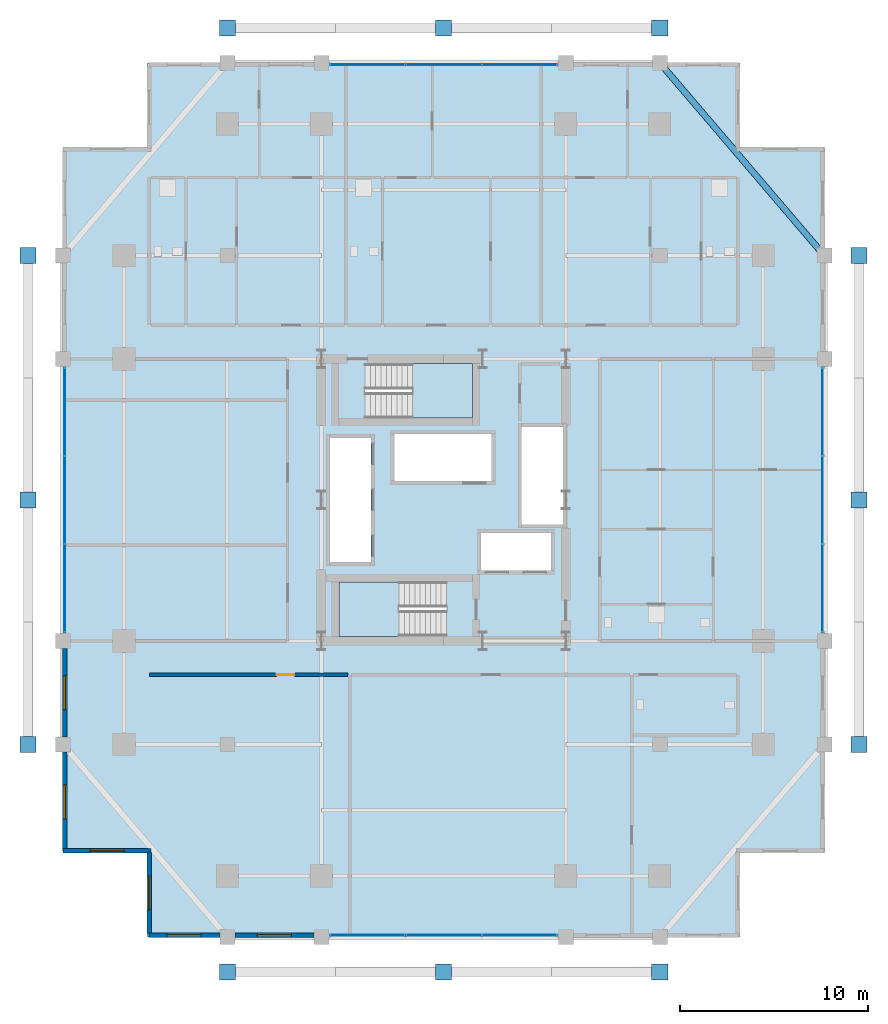
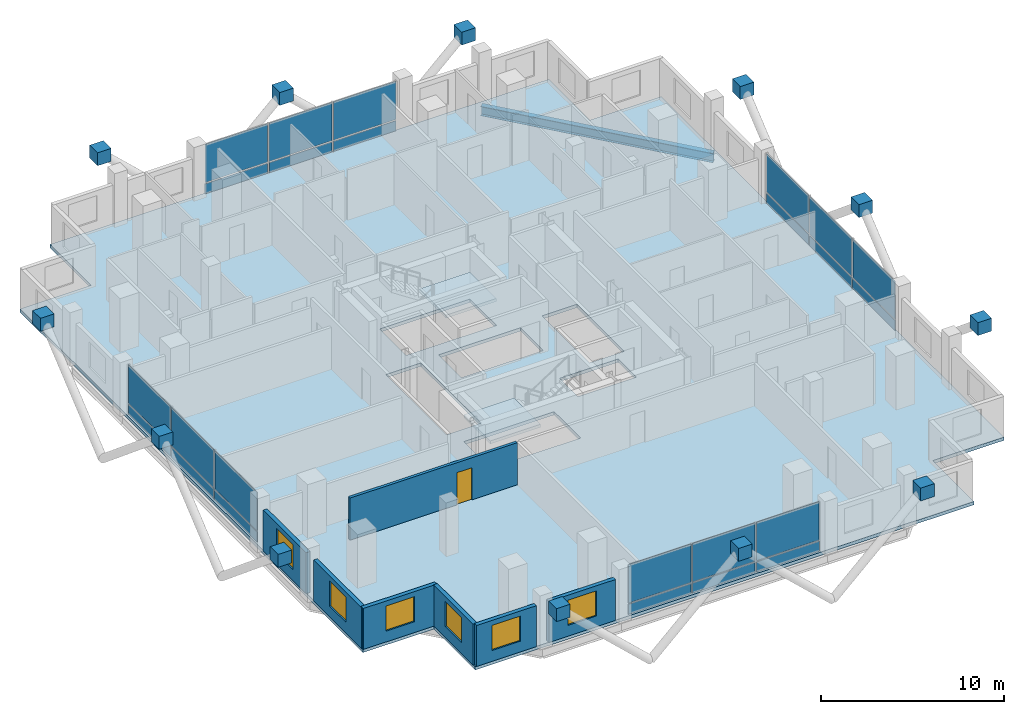
# One storey, part 16 of 22: 36 plates, 7 walls, 6 windows, 3 slabs, 1 beam, 1 door, 7 openings, 6 elements without a shape of their own.
"""IFC4 building model written with IfcOpenShell, lengths in metres."""

from ifc_helpers import new_model, si_unit, direction, frame, frame_2d, origin, origin_2d, place, context, subcontext, project, spatial, polyline, rectangle, i_section, outline, extrude, material, layer, layer_set, material_profile, profile_set, type_object, element, fill, aggregate, save


model = new_model("IFC4")

# Units and contexts
model_context = context("Model", 3, precision=1e-05, world=origin(), true_north=direction((0.0, 1.0)))
body_context = subcontext(model_context, "Body", "Model", "MODEL_VIEW")
ifc_project = project(units=[si_unit("LENGTHUNIT", "METRE"), si_unit("AREAUNIT", "SQUARE_METRE"), si_unit("VOLUMEUNIT", "CUBIC_METRE"), si_unit("PLANEANGLEUNIT", "RADIAN"), si_unit("MASSUNIT", "GRAM", prefix="KILO")], contexts=[model_context])

# Site, building, storey
site_placement = place(None, origin())
site = spatial("IfcSite", under=ifc_project, at=site_placement, CompositionType="ELEMENT")
building_placement = place(site_placement, origin())
building = spatial("IfcBuilding", under=site, at=building_placement, Name="Barlavira Tower and Art Museum", CompositionType="ELEMENT")
storey_placement = place(building_placement, frame((0.0, 0.0, 106.199951171875)))
storey = spatial("IfcBuildingStorey", under=building, at=storey_placement, Name="L26", CompositionType="ELEMENT", Elevation=106.199951171875)

# Beam
ifc_material_1 = material(Name="Steel S355", Category="steel")
ifc_material_profile = material_profile(ifc_material_1, i_section(OverallWidth=0.327880859375, OverallDepth=0.62890625, WebThickness=0.013916015625, FlangeThickness=0.021484375, at=origin_2d()), Name="W610x174.0")
ifc_profile_set = profile_set([ifc_material_profile], Name="Steel S355")
beam_type = type_object("IfcBeamType", Name="Perimeter Spandrel Edge Beam W610x174 Steel S355", PredefinedType="SPANDREL", material=ifc_profile_set)
beam_placement = place(storey_placement, frame((20.25, 13.0, -0.534423828125), z_axis=(-0.649262379928, 0.760564502202, 0.0), x_axis=(-0.760564502202, -0.649262379928, 0.0)))
element("IfcBeam", 1, at=beam_placement, inside=storey, type_object=beam_type, Name="L26 Spandrel 8", PredefinedType="SPANDREL", context=body_context, shape_type="SweptSolid", body=[
    extrude(i_section(OverallWidth=0.327880859375, OverallDepth=0.62890625, WebThickness=0.013916015625, FlangeThickness=0.021484375, at=origin_2d()), origin(), (0.0, 0.0, 1.0), 13.476806640625),
])

# Curtain wall, plates
ifc_material_2 = material(Name="Low-iron coastal laminated glass", Category="glass")
ifc_layer_1 = layer(ifc_material_2, 0.18994140625, Name="Low-iron coastal laminated glass")
ifc_layer_set_1 = layer_set([ifc_layer_1], Name="Low-iron coastal laminated glass")
curtain_wall_type = type_object("IfcCurtainWallType", Name="Pale-Metal Unitised Curtain Wall Zone 2", PredefinedType="NOTDEFINED", material=ifc_layer_set_1)
curtain_wall_1_placement = place(storey_placement, origin())
curtain_wall_1 = element("IfcCurtainWall", 2, at=curtain_wall_1_placement, inside=storey, type_object=curtain_wall_type, Name="L26 Curtain Wall CW2-L26-S-B3", PredefinedType="NOTDEFINED")
ifc_material_3 = material(Name="Pale anodised aluminium", Category="aluminium")
ifc_layer_2 = layer(ifc_material_3, 0.044921875, Name="Pale anodised aluminium")
ifc_layer_set_2 = layer_set([ifc_layer_2], Name="Pale anodised aluminium")
plate_type_1 = type_object("IfcPlateType", Name="Curtain Wall Pale-Metal Spandrel Panel 45", PredefinedType="CURTAIN_PANEL", material=ifc_layer_set_2)
plate_1_placement = place(storey_placement, frame((-4.05322265625, -23.14990234375, 0.0400390625), z_axis=(0.0, 0.0, 1.0), x_axis=(1.0, 0.0, 0.0)))
plate_1 = element("IfcPlate", 3, at=plate_1_placement, type_object=plate_type_1, Name="CW2-L26-S-B3 Spandrel Panel 0", PredefinedType="CURTAIN_PANEL", context=body_context, shape_type="SweptSolid", body=[
    extrude(rectangle(XDim=3.953369140625, YDim=0.044921875, at=origin_2d()), origin(), (0.0, 0.0, 1.0), 0.6640625),
])
plate_2_placement = place(storey_placement, frame((0.0, -23.14990234375, 0.0400390625), z_axis=(0.0, 0.0, 1.0), x_axis=(1.0, 0.0, 0.0)))
plate_2 = element("IfcPlate", 4, at=plate_2_placement, type_object=plate_type_1, Name="CW2-L26-S-B3 Spandrel Panel 1", PredefinedType="CURTAIN_PANEL", context=body_context, shape_type="SweptSolid", body=[
    extrude(rectangle(XDim=3.953369140625, YDim=0.044921875, at=origin_2d()), origin(), (0.0, 0.0, 1.0), 0.6640625),
])
plate_3_placement = place(storey_placement, frame((4.05322265625, -23.14990234375, 0.0400390625), z_axis=(0.0, 0.0, 1.0), x_axis=(1.0, 0.0, 0.0)))
plate_3 = element("IfcPlate", 5, at=plate_3_placement, type_object=plate_type_1, Name="CW2-L26-S-B3 Spandrel Panel 2", PredefinedType="CURTAIN_PANEL", context=body_context, shape_type="SweptSolid", body=[
    extrude(rectangle(XDim=3.953369140625, YDim=0.044921875, at=origin_2d()), origin(), (0.0, 0.0, 1.0), 0.6640625),
])

curtain_wall_2_placement = place(storey_placement, origin())
curtain_wall_2 = element("IfcCurtainWall", 6, at=curtain_wall_2_placement, inside=storey, type_object=curtain_wall_type, Name="L26 Curtain Wall CW2-L26-N-B3", PredefinedType="NOTDEFINED")
plate_4_placement = place(storey_placement, frame((4.05322265625, 23.14990234375, 0.0400390625), z_axis=(0.0, 0.0, 1.0), x_axis=(-1.0, 0.0, 0.0)))
plate_4 = element("IfcPlate", 7, at=plate_4_placement, type_object=plate_type_1, Name="CW2-L26-N-B3 Spandrel Panel 0", PredefinedType="CURTAIN_PANEL", context=body_context, shape_type="SweptSolid", body=[
    extrude(rectangle(XDim=3.953369140625, YDim=0.044921875, at=origin_2d()), origin(), (0.0, 0.0, 1.0), 0.6640625),
])
plate_5_placement = place(storey_placement, frame((0.0, 23.14990234375, 0.0400390625), z_axis=(0.0, 0.0, 1.0), x_axis=(-1.0, 0.0, 0.0)))
plate_5 = element("IfcPlate", 8, at=plate_5_placement, type_object=plate_type_1, Name="CW2-L26-N-B3 Spandrel Panel 1", PredefinedType="CURTAIN_PANEL", context=body_context, shape_type="SweptSolid", body=[
    extrude(rectangle(XDim=3.953369140625, YDim=0.044921875, at=origin_2d()), origin(), (0.0, 0.0, 1.0), 0.6640625),
])
plate_6_placement = place(storey_placement, frame((-4.05322265625, 23.14990234375, 0.0400390625), z_axis=(0.0, 0.0, 1.0), x_axis=(-1.0, 0.0, 0.0)))
plate_6 = element("IfcPlate", 9, at=plate_6_placement, type_object=plate_type_1, Name="CW2-L26-N-B3 Spandrel Panel 2", PredefinedType="CURTAIN_PANEL", context=body_context, shape_type="SweptSolid", body=[
    extrude(rectangle(XDim=3.953369140625, YDim=0.044921875, at=origin_2d()), origin(), (0.0, 0.0, 1.0), 0.6640625),
])

curtain_wall_3_placement = place(storey_placement, origin())
curtain_wall_3 = element("IfcCurtainWall", 10, at=curtain_wall_3_placement, inside=storey, type_object=curtain_wall_type, Name="L26 Curtain Wall CW2-L26-W-B3", PredefinedType="NOTDEFINED")
plate_7_placement = place(storey_placement, frame((-20.14990234375, 4.719970703125, 0.0400390625), z_axis=(0.0, 0.0, 1.0), x_axis=(0.0, -1.0, 0.0)))
plate_7 = element("IfcPlate", 11, at=plate_7_placement, type_object=plate_type_1, Name="CW2-L26-W-B3 Spandrel Panel 0", PredefinedType="CURTAIN_PANEL", context=body_context, shape_type="SweptSolid", body=[
    extrude(rectangle(XDim=4.6201171875, YDim=0.044921875, at=origin_2d()), origin(), (0.0, 0.0, 1.0), 0.6640625),
])
plate_8_placement = place(storey_placement, frame((-20.14990234375, 0.0, 0.0400390625), z_axis=(0.0, 0.0, 1.0), x_axis=(0.0, -1.0, 0.0)))
plate_8 = element("IfcPlate", 12, at=plate_8_placement, type_object=plate_type_1, Name="CW2-L26-W-B3 Spandrel Panel 1", PredefinedType="CURTAIN_PANEL", context=body_context, shape_type="SweptSolid", body=[
    extrude(rectangle(XDim=4.6201171875, YDim=0.044921875, at=origin_2d()), origin(), (0.0, 0.0, 1.0), 0.6640625),
])
plate_9_placement = place(storey_placement, frame((-20.14990234375, -4.719970703125, 0.0400390625), z_axis=(0.0, 0.0, 1.0), x_axis=(0.0, -1.0, 0.0)))
plate_9 = element("IfcPlate", 13, at=plate_9_placement, type_object=plate_type_1, Name="CW2-L26-W-B3 Spandrel Panel 2", PredefinedType="CURTAIN_PANEL", context=body_context, shape_type="SweptSolid", body=[
    extrude(rectangle(XDim=4.6201171875, YDim=0.044921875, at=origin_2d()), origin(), (0.0, 0.0, 1.0), 0.6640625),
])

curtain_wall_4_placement = place(storey_placement, origin())
curtain_wall_4 = element("IfcCurtainWall", 14, at=curtain_wall_4_placement, inside=storey, type_object=curtain_wall_type, Name="L26 Curtain Wall CW2-L26-E-B3", PredefinedType="NOTDEFINED")
plate_10_placement = place(storey_placement, frame((20.14990234375, -4.719970703125, 0.0400390625), z_axis=(0.0, 0.0, 1.0), x_axis=(0.0, 1.0, 0.0)))
plate_10 = element("IfcPlate", 15, at=plate_10_placement, type_object=plate_type_1, Name="CW2-L26-E-B3 Spandrel Panel 0", PredefinedType="CURTAIN_PANEL", context=body_context, shape_type="SweptSolid", body=[
    extrude(rectangle(XDim=4.6201171875, YDim=0.044921875, at=origin_2d()), origin(), (0.0, 0.0, 1.0), 0.6640625),
])
plate_11_placement = place(storey_placement, frame((20.14990234375, 0.0, 0.0400390625), z_axis=(0.0, 0.0, 1.0), x_axis=(0.0, 1.0, 0.0)))
plate_11 = element("IfcPlate", 16, at=plate_11_placement, type_object=plate_type_1, Name="CW2-L26-E-B3 Spandrel Panel 1", PredefinedType="CURTAIN_PANEL", context=body_context, shape_type="SweptSolid", body=[
    extrude(rectangle(XDim=4.6201171875, YDim=0.044921875, at=origin_2d()), origin(), (0.0, 0.0, 1.0), 0.6640625),
])
plate_12_placement = place(storey_placement, frame((20.14990234375, 4.719970703125, 0.0400390625), z_axis=(0.0, 0.0, 1.0), x_axis=(0.0, 1.0, 0.0)))
plate_12 = element("IfcPlate", 17, at=plate_12_placement, type_object=plate_type_1, Name="CW2-L26-E-B3 Spandrel Panel 2", PredefinedType="CURTAIN_PANEL", context=body_context, shape_type="SweptSolid", body=[
    extrude(rectangle(XDim=4.6201171875, YDim=0.044921875, at=origin_2d()), origin(), (0.0, 0.0, 1.0), 0.6640625),
])

# Plate
ifc_layer_3 = layer(ifc_material_2, 0.028076171875, Name="Low-iron coastal laminated glass")
ifc_layer_set_3 = layer_set([ifc_layer_3], Name="Low-iron coastal laminated glass")
plate_type_2 = type_object("IfcPlateType", Name="Curtain Wall Vision Glazing Panel 28", PredefinedType="CURTAIN_PANEL", material=ifc_layer_set_3)
plate_13_placement = place(storey_placement, frame((-4.05322265625, -23.14990234375, 0.7841796875), z_axis=(0.0, 0.0, 1.0), x_axis=(1.0, 0.0, 0.0)))
plate_13 = element("IfcPlate", 18, at=plate_13_placement, type_object=plate_type_2, Name="CW2-L26-S-B3 Vision Glass Panel 0", PredefinedType="CURTAIN_PANEL", context=body_context, shape_type="SweptSolid", body=[
    extrude(rectangle(XDim=3.953369140625, YDim=0.028076171875, at=origin_2d()), origin(), (0.0, 0.0, 1.0), 2.555908203125),
])

plate_14_placement = place(storey_placement, frame((0.0, -23.14990234375, 0.7841796875), z_axis=(0.0, 0.0, 1.0), x_axis=(1.0, 0.0, 0.0)))
plate_14 = element("IfcPlate", 19, at=plate_14_placement, type_object=plate_type_2, Name="CW2-L26-S-B3 Vision Glass Panel 1", PredefinedType="CURTAIN_PANEL", context=body_context, shape_type="SweptSolid", body=[
    extrude(rectangle(XDim=3.953369140625, YDim=0.028076171875, at=origin_2d()), origin(), (0.0, 0.0, 1.0), 2.555908203125),
])

plate_15_placement = place(storey_placement, frame((4.05322265625, -23.14990234375, 0.7841796875), z_axis=(0.0, 0.0, 1.0), x_axis=(1.0, 0.0, 0.0)))
plate_15 = element("IfcPlate", 20, at=plate_15_placement, type_object=plate_type_2, Name="CW2-L26-S-B3 Vision Glass Panel 2", PredefinedType="CURTAIN_PANEL", context=body_context, shape_type="SweptSolid", body=[
    extrude(rectangle(XDim=3.953369140625, YDim=0.028076171875, at=origin_2d()), origin(), (0.0, 0.0, 1.0), 2.555908203125),
])

aggregate(curtain_wall_1, [plate_1, plate_13, plate_2, plate_14, plate_3, plate_15])

plate_16_placement = place(storey_placement, frame((4.05322265625, 23.14990234375, 0.7841796875), z_axis=(0.0, 0.0, 1.0), x_axis=(-1.0, 0.0, 0.0)))
plate_16 = element("IfcPlate", 21, at=plate_16_placement, type_object=plate_type_2, Name="CW2-L26-N-B3 Vision Glass Panel 0", PredefinedType="CURTAIN_PANEL", context=body_context, shape_type="SweptSolid", body=[
    extrude(rectangle(XDim=3.953369140625, YDim=0.028076171875, at=origin_2d()), origin(), (0.0, 0.0, 1.0), 2.555908203125),
])

plate_17_placement = place(storey_placement, frame((0.0, 23.14990234375, 0.7841796875), z_axis=(0.0, 0.0, 1.0), x_axis=(-1.0, 0.0, 0.0)))
plate_17 = element("IfcPlate", 22, at=plate_17_placement, type_object=plate_type_2, Name="CW2-L26-N-B3 Vision Glass Panel 1", PredefinedType="CURTAIN_PANEL", context=body_context, shape_type="SweptSolid", body=[
    extrude(rectangle(XDim=3.953369140625, YDim=0.028076171875, at=origin_2d()), origin(), (0.0, 0.0, 1.0), 2.555908203125),
])

plate_18_placement = place(storey_placement, frame((-4.05322265625, 23.14990234375, 0.7841796875), z_axis=(0.0, 0.0, 1.0), x_axis=(-1.0, 0.0, 0.0)))
plate_18 = element("IfcPlate", 23, at=plate_18_placement, type_object=plate_type_2, Name="CW2-L26-N-B3 Vision Glass Panel 2", PredefinedType="CURTAIN_PANEL", context=body_context, shape_type="SweptSolid", body=[
    extrude(rectangle(XDim=3.953369140625, YDim=0.028076171875, at=origin_2d()), origin(), (0.0, 0.0, 1.0), 2.555908203125),
])

aggregate(curtain_wall_2, [plate_4, plate_16, plate_5, plate_17, plate_6, plate_18])

plate_19_placement = place(storey_placement, frame((-20.14990234375, 4.719970703125, 0.7841796875), z_axis=(0.0, 0.0, 1.0), x_axis=(0.0, -1.0, 0.0)))
plate_19 = element("IfcPlate", 24, at=plate_19_placement, type_object=plate_type_2, Name="CW2-L26-W-B3 Vision Glass Panel 0", PredefinedType="CURTAIN_PANEL", context=body_context, shape_type="SweptSolid", body=[
    extrude(rectangle(XDim=4.6201171875, YDim=0.028076171875, at=origin_2d()), origin(), (0.0, 0.0, 1.0), 2.555908203125),
])

plate_20_placement = place(storey_placement, frame((-20.14990234375, 0.0, 0.7841796875), z_axis=(0.0, 0.0, 1.0), x_axis=(0.0, -1.0, 0.0)))
plate_20 = element("IfcPlate", 25, at=plate_20_placement, type_object=plate_type_2, Name="CW2-L26-W-B3 Vision Glass Panel 1", PredefinedType="CURTAIN_PANEL", context=body_context, shape_type="SweptSolid", body=[
    extrude(rectangle(XDim=4.6201171875, YDim=0.028076171875, at=origin_2d()), origin(), (0.0, 0.0, 1.0), 2.555908203125),
])

plate_21_placement = place(storey_placement, frame((-20.14990234375, -4.719970703125, 0.7841796875), z_axis=(0.0, 0.0, 1.0), x_axis=(0.0, -1.0, 0.0)))
plate_21 = element("IfcPlate", 26, at=plate_21_placement, type_object=plate_type_2, Name="CW2-L26-W-B3 Vision Glass Panel 2", PredefinedType="CURTAIN_PANEL", context=body_context, shape_type="SweptSolid", body=[
    extrude(rectangle(XDim=4.6201171875, YDim=0.028076171875, at=origin_2d()), origin(), (0.0, 0.0, 1.0), 2.555908203125),
])

aggregate(curtain_wall_3, [plate_7, plate_19, plate_8, plate_20, plate_9, plate_21])

plate_22_placement = place(storey_placement, frame((20.14990234375, -4.719970703125, 0.7841796875), z_axis=(0.0, 0.0, 1.0), x_axis=(0.0, 1.0, 0.0)))
plate_22 = element("IfcPlate", 27, at=plate_22_placement, type_object=plate_type_2, Name="CW2-L26-E-B3 Vision Glass Panel 0", PredefinedType="CURTAIN_PANEL", context=body_context, shape_type="SweptSolid", body=[
    extrude(rectangle(XDim=4.6201171875, YDim=0.028076171875, at=origin_2d()), origin(), (0.0, 0.0, 1.0), 2.555908203125),
])

plate_23_placement = place(storey_placement, frame((20.14990234375, 0.0, 0.7841796875), z_axis=(0.0, 0.0, 1.0), x_axis=(0.0, 1.0, 0.0)))
plate_23 = element("IfcPlate", 28, at=plate_23_placement, type_object=plate_type_2, Name="CW2-L26-E-B3 Vision Glass Panel 1", PredefinedType="CURTAIN_PANEL", context=body_context, shape_type="SweptSolid", body=[
    extrude(rectangle(XDim=4.6201171875, YDim=0.028076171875, at=origin_2d()), origin(), (0.0, 0.0, 1.0), 2.555908203125),
])

plate_24_placement = place(storey_placement, frame((20.14990234375, 4.719970703125, 0.7841796875), z_axis=(0.0, 0.0, 1.0), x_axis=(0.0, 1.0, 0.0)))
plate_24 = element("IfcPlate", 29, at=plate_24_placement, type_object=plate_type_2, Name="CW2-L26-E-B3 Vision Glass Panel 2", PredefinedType="CURTAIN_PANEL", context=body_context, shape_type="SweptSolid", body=[
    extrude(rectangle(XDim=4.6201171875, YDim=0.028076171875, at=origin_2d()), origin(), (0.0, 0.0, 1.0), 2.555908203125),
])

aggregate(curtain_wall_4, [plate_10, plate_22, plate_11, plate_23, plate_12, plate_24])

# Plates
ifc_layer_4 = layer(ifc_material_1, 0.860107421875, Name="Steel S355")
ifc_layer_set_4 = layer_set([ifc_layer_4], Name="Steel S355")
plate_type_3 = type_object("IfcPlateType", Name="Exoskeleton Solid Steel Node Cap Plate Assembly Type 2 Steel S355", PredefinedType="USERDEFINED", material=ifc_layer_set_4)
for number, where, z_axis, x_axis, name in (
    (30, (-11.5, -25.10009765625, 3.0498046875), (0.0, 0.0, 1.0), (1.0, 0.0, 0.0), "Exoskeleton Node S ND-L26-0249"),
    (31, (0.0, -25.10009765625, 3.0498046875), (0.0, 0.0, 1.0), (1.0, 0.0, 0.0), "Exoskeleton Node S ND-L26-0250"),
    (32, (11.5, -25.10009765625, 3.0498046875), (0.0, 0.0, 1.0), (1.0, 0.0, 0.0), "Exoskeleton Node S ND-L26-0251"),
    (33, (-11.5, 25.10009765625, 3.0498046875), (0.0, 0.0, 1.0), (1.0, 0.0, 0.0), "Exoskeleton Node N ND-L26-0257"),
    (34, (0.0, 25.10009765625, 3.0498046875), (0.0, 0.0, 1.0), (1.0, 0.0, 0.0), "Exoskeleton Node N ND-L26-0258"),
    (35, (11.5, 25.10009765625, 3.0498046875), (0.0, 0.0, 1.0), (1.0, 0.0, 0.0), "Exoskeleton Node N ND-L26-0259"),
    (36, (-22.10009765625, -13.0, 3.0498046875), (0.0, 0.0, 1.0), (1.0, 0.0, 0.0), "Exoskeleton Node W ND-L26-0265"),
    (37, (-22.10009765625, 0.0, 3.0498046875), (0.0, 0.0, 1.0), (1.0, 0.0, 0.0), "Exoskeleton Node W ND-L26-0266"),
    (38, (-22.10009765625, 13.0, 3.0498046875), (0.0, 0.0, 1.0), (1.0, 0.0, 0.0), "Exoskeleton Node W ND-L26-0267"),
    (39, (22.10009765625, -13.0, 3.0498046875), (0.0, 0.0, 1.0), (1.0, 0.0, 0.0), "Exoskeleton Node E ND-L26-0273"),
    (40, (22.10009765625, 0.0, 3.0498046875), (0.0, 0.0, 1.0), (1.0, 0.0, 0.0), "Exoskeleton Node E ND-L26-0274"),
    (41, (22.10009765625, 13.0, 3.0498046875), (0.0, 0.0, 1.0), (1.0, 0.0, 0.0), "Exoskeleton Node E ND-L26-0275"),
):
    element("IfcPlate", number, at=place(storey_placement, frame(where, z_axis=z_axis, x_axis=x_axis)), inside=storey, type_object=plate_type_3, Name=name, ObjectType="FLANGE_PLATE", PredefinedType="USERDEFINED", context=body_context, shape_type="SweptSolid", body=[
        extrude(rectangle(XDim=0.860107421875, YDim=0.860107421875, at=origin_2d()), origin(), (0.0, 0.0, 1.0), 0.860107421875),
    ])

# Stair, slab
ifc_material_4 = material(Name="Concrete C45", Category="concrete")
stair_type_1 = type_object("IfcStairType", Name="Tower North Dog-Leg Exit Stair Assembly Concrete C45", PredefinedType="TWO_QUARTER_TURN_STAIR", material=ifc_material_4)
stair_1_placement = place(storey_placement, origin())
stair_1 = element("IfcStair", 42, at=stair_1_placement, inside=storey, type_object=stair_type_1, Name="L26 Tower North Exit Stair ST-T2", PredefinedType="TWO_QUARTER_TURN_STAIR")
ifc_layer_5 = layer(ifc_material_4, 0.199951171875, Name="Concrete C45")
ifc_layer_set_5 = layer_set([ifc_layer_5], Name="Concrete C45")
slab_type_1 = type_object("IfcSlabType", Name="Tower North Dog-Leg Exit Stair Half-Landing Slab 200 Concrete C45", PredefinedType="LANDING", material=ifc_layer_set_5)
slab_1_placement = place(storey_placement, frame((0.0, 0.0, 1.60009765625)))
slab_1 = element("IfcSlab", 43, at=slab_1_placement, type_object=slab_type_1, Name="ST-T2 landing 1", PredefinedType="LANDING", context=body_context, shape_type="SweptSolid", body=[
    extrude(outline(polyline([(-1.64990234375, 4.35009765625), (1.530029296875, 4.35009765625), (1.530029296875, 7.25), (-1.64990234375, 7.25), (-1.64990234375, 4.35009765625)])), origin(), (0.0, 0.0, 1.0), 0.199951171875),
])
aggregate(stair_1, [slab_1])

stair_type_2 = type_object("IfcStairType", Name="Tower South Dog-Leg Exit Stair Assembly Concrete C45", PredefinedType="TWO_QUARTER_TURN_STAIR", material=ifc_material_4)
stair_2_placement = place(storey_placement, origin())
stair_2 = element("IfcStair", 44, at=stair_2_placement, inside=storey, type_object=stair_type_2, Name="L26 Tower South Exit Stair ST-T1", PredefinedType="TWO_QUARTER_TURN_STAIR")
ifc_layer_6 = layer(ifc_material_4, 0.199951171875, Name="Concrete C45")
ifc_layer_set_6 = layer_set([ifc_layer_6], Name="Concrete C45")
slab_type_2 = type_object("IfcSlabType", Name="Tower South Dog-Leg Exit Stair Half-Landing Slab 200 Concrete C45", PredefinedType="LANDING", material=ifc_layer_set_6)
slab_2_placement = place(storey_placement, frame((0.0, 0.0, 1.60009765625)))
slab_2 = element("IfcSlab", 45, at=slab_2_placement, type_object=slab_type_2, Name="ST-T1 landing 1", PredefinedType="LANDING", context=body_context, shape_type="SweptSolid", body=[
    extrude(outline(polyline([(-2.3701171875, -4.35009765625), (-5.550048828125, -4.35009765625), (-5.550048828125, -7.25), (-2.3701171875, -7.25), (-2.3701171875, -4.35009765625)])), origin(), (0.0, 0.0, 1.0), 0.199951171875),
])
aggregate(stair_2, [slab_2])

# Slab
ifc_material_5 = material(Name="Concrete C50", Category="concrete")
ifc_layer_7 = layer(ifc_material_5, 0.2099609375, Name="Concrete C50")
ifc_layer_set_7 = layer_set([ifc_layer_7], Name="Concrete C50")
slab_type_3 = type_object("IfcSlabType", Name="Zone 2 Residential Composite Slab 210 Concrete C50", PredefinedType="FLOOR", material=ifc_layer_set_7)
slab_3_placement = place(storey_placement, frame((0.0, 0.0, -0.219970703125)))
element("IfcSlab", 46, at=slab_3_placement, inside=storey, type_object=slab_type_3, Name="L26 Tower Floor Slab", PredefinedType="FLOOR", context=body_context, shape_type="SweptSolid", body=[
    extrude(outline(polyline([(-15.75, -23.25), (15.75, -23.25), (15.75, -18.75), (20.25, -18.75), (20.25, 18.75), (15.75, 18.75), (15.75, 23.25), (-15.75, 23.25), (-15.75, 18.75), (-20.25, 18.75), (-20.25, -18.75), (-15.75, -18.75), (-15.75, -23.25)]), holes=[polyline([(0.14990234375, -4.35009765625), (-5.550048828125, -4.35009765625), (-5.550048828125, -7.25), (0.14990234375, -7.25), (0.14990234375, -4.35009765625)]), polyline([(-4.169921875, 4.35009765625), (1.530029296875, 4.35009765625), (1.530029296875, 7.25), (-4.169921875, 7.25), (-4.169921875, 4.35009765625)]), polyline([(-6.050048828125, -3.31005859375), (-3.85009765625, -3.31005859375), (-3.85009765625, 3.31005859375), (-6.050048828125, 3.31005859375), (-6.050048828125, -3.31005859375)]), polyline([(4.14990234375, -1.2900390625), (6.35009765625, -1.2900390625), (6.35009765625, 3.889892578125), (4.14990234375, 3.889892578125), (4.14990234375, -1.2900390625)]), polyline([(-2.6201171875, 1.0), (2.56005859375, 1.0), (2.56005859375, 3.5), (-2.6201171875, 3.5), (-2.6201171875, 1.0)]), polyline([(2.0, -3.75), (5.699951171875, -3.75), (5.699951171875, -1.75), (2.0, -1.75), (2.0, -3.75)])]), origin(), (0.0, 0.0, 1.0), 0.219970703125),
])

# Wall, opening, door
ifc_material_6 = material(Name="Gypsum acoustic stud partition", Category="gypsum")
ifc_layer_8 = layer(ifc_material_6, 0.179931640625, Name="Gypsum acoustic stud partition")
ifc_layer_set_8 = layer_set([ifc_layer_8], Name="Gypsum acoustic stud partition")
wall_type_1 = type_object("IfcWallType", Name="Inter-Tenancy Party Partition Wall 180", PredefinedType="PARTITIONING", material=ifc_layer_set_8)
wall_1_placement = place(storey_placement, frame((-15.64990234375, -9.300048828125, 0.0), z_axis=(0.0, 0.0, 1.0), x_axis=(1.0, 0.0, 0.0)))
wall_1 = element("IfcWall", 47, at=wall_1_placement, inside=storey, type_object=wall_type_1, Name="L26 Partition Wall 22", PredefinedType="PARTITIONING", context=body_context, shape_type="SweptSolid", body=[
    extrude(rectangle(XDim=10.56982421875, YDim=0.179931640625, at=frame_2d((5.284912109375, 0.0))), origin(), (0.0, 0.0, 1.0), 2.816162109375),
])
opening_1_placement = place(wall_1_placement, frame((6.764892578125, 0.0, 0.0)))
opening_1 = element("IfcOpeningElement", 48, at=opening_1_placement, cuts=wall_1, Name="Opening FD-60", PredefinedType="OPENING", context=body_context, shape_type="SweptSolid", body=[
    extrude(rectangle(XDim=0.949951171875, YDim=2.14990234375, at=frame_2d((0.47509765625, 1.074951171875))), frame((0.0, 0.10009765625, 0.0), z_axis=(0.0, -1.0, 0.0), x_axis=(1.0, 0.0, 0.0)), (0.0, 0.0, 1.0), 0.199951171875),
])
ifc_material_7 = material(Name="Brushed stainless steel", Category="steel")
door_type = type_object("IfcDoorType", Name="Apartment Entrance and Riser Fire Door 950x2150 FD60S", OperationType="NOTDEFINED", PredefinedType="DOOR", material=ifc_material_7)
door_placement = place(opening_1_placement, origin())
door = element("IfcDoor", 49, at=door_placement, inside=storey, type_object=door_type, Name="Resident Ocean-View Fitness Studio Door", OperationType="SINGLE_SWING_RIGHT", OverallHeight=2.14990234375, OverallWidth=0.949951171875, PredefinedType="DOOR", context=body_context, shape_type="SweptSolid", body=[
    extrude(rectangle(XDim=0.949951171875, YDim=2.14990234375, at=frame_2d((0.47509765625, 1.074951171875))), frame((0.0, 0.02490234375, 0.0), z_axis=(0.0, -1.0, 0.0), x_axis=(1.0, 0.0, 0.0)), (0.0, 0.0, 1.0), 0.050048828125),
])
fill(opening_1, door)

# Wall, opening, window
ifc_material_8 = material(Name="Precast concrete C40", Category="concrete")
ifc_layer_9 = layer(ifc_material_8, 0.25, Name="Precast concrete C40")
ifc_layer_set_9 = layer_set([ifc_layer_9], Name="Precast concrete C40")
wall_type_2 = type_object("IfcWallType", Name="Notched Corner Spandrel Wall 250 Precast Concrete C40", PredefinedType="SOLIDWALL", material=ifc_layer_set_9)
wall_2_placement = place(storey_placement, frame((-15.675048828125, -23.14990234375, 0.0), z_axis=(0.0, 0.0, 1.0), x_axis=(1.0, 0.0, 0.0)))
wall_2 = element("IfcWall", 50, at=wall_2_placement, inside=storey, type_object=wall_type_2, Name="L26 Coastal Facade Pier Wall CW2-L26-S-1", PredefinedType="SOLIDWALL", context=body_context, shape_type="SweptSolid", body=[
    extrude(rectangle(XDim=3.780029296875, YDim=0.25, at=frame_2d((1.89013671875, 0.0))), origin(), (0.0, 0.0, 1.0), 2.736083984375),
])
opening_2_placement = place(wall_2_placement, frame((0.968017578125, 0.0, 0.719970703125)))
opening_2 = element("IfcOpeningElement", 51, at=opening_2_placement, cuts=wall_2, Name="Opening WN-01", PredefinedType="OPENING", context=body_context, shape_type="SweptSolid", body=[
    extrude(rectangle(XDim=1.800048828125, YDim=1.679931640625, at=frame_2d((0.89990234375, 0.83984375))), frame((0.0, 0.135009765625, 0.0), z_axis=(0.0, -1.0, 0.0), x_axis=(1.0, 0.0, 0.0)), (0.0, 0.0, 1.0), 0.27001953125),
])
window_type = type_object("IfcWindowType", Name="Recessed Notch Corner Punch Window 1800x1680", PartitioningType="SINGLE_PANEL", PredefinedType="WINDOW", material=ifc_material_2)
window_1_placement = place(opening_2_placement, origin())
window_1 = element("IfcWindow", 52, at=window_1_placement, inside=storey, type_object=window_type, Name="L26 Punched Facade Window EWP-CW2-L26-S-1-1", OverallHeight=1.679931640625, OverallWidth=1.800048828125, PartitioningType="SINGLE_PANEL", PredefinedType="WINDOW", context=body_context, shape_type="SweptSolid", body=[
    extrude(rectangle(XDim=1.800048828125, YDim=1.679931640625, at=frame_2d((0.89990234375, 0.83984375))), frame((0.0, 0.030029296875, 0.0), z_axis=(0.0, -1.0, 0.0), x_axis=(1.0, 0.0, 0.0)), (0.0, 0.0, 1.0), 0.06005859375),
])
fill(opening_2, window_1)

wall_3_placement = place(storey_placement, frame((-11.10498046875, -23.14990234375, 0.0), z_axis=(0.0, 0.0, 1.0), x_axis=(1.0, 0.0, 0.0)))
wall_3 = element("IfcWall", 53, at=wall_3_placement, inside=storey, type_object=wall_type_2, Name="L26 Coastal Facade Pier Wall CW2-L26-S-2", PredefinedType="SOLIDWALL", context=body_context, shape_type="SweptSolid", body=[
    extrude(rectangle(XDim=4.2099609375, YDim=0.25, at=frame_2d((2.10498046875, 0.0))), origin(), (0.0, 0.0, 1.0), 2.736083984375),
])
opening_3_placement = place(wall_3_placement, frame((1.205078125, 0.0, 0.719970703125)))
opening_3 = element("IfcOpeningElement", 54, at=opening_3_placement, cuts=wall_3, Name="Opening WN-01", PredefinedType="OPENING", context=body_context, shape_type="SweptSolid", body=[
    extrude(rectangle(XDim=1.800048828125, YDim=1.679931640625, at=frame_2d((0.89990234375, 0.83984375))), frame((0.0, 0.135009765625, 0.0), z_axis=(0.0, -1.0, 0.0), x_axis=(1.0, 0.0, 0.0)), (0.0, 0.0, 1.0), 0.27001953125),
])
window_2_placement = place(opening_3_placement, origin())
window_2 = element("IfcWindow", 55, at=window_2_placement, inside=storey, type_object=window_type, Name="L26 Punched Facade Window EWP-CW2-L26-S-2-1", OverallHeight=1.679931640625, OverallWidth=1.800048828125, PartitioningType="SINGLE_PANEL", PredefinedType="WINDOW", context=body_context, shape_type="SweptSolid", body=[
    extrude(rectangle(XDim=1.800048828125, YDim=1.679931640625, at=frame_2d((0.89990234375, 0.83984375))), frame((0.0, 0.030029296875, 0.0), z_axis=(0.0, -1.0, 0.0), x_axis=(1.0, 0.0, 0.0)), (0.0, 0.0, 1.0), 0.06005859375),
])
fill(opening_3, window_2)

wall_4_placement = place(storey_placement, frame((-20.14990234375, -7.89501953125, 0.0), z_axis=(0.0, 0.0, 1.0), x_axis=(0.0, -1.0, 0.0)))
wall_4 = element("IfcWall", 56, at=wall_4_placement, inside=storey, type_object=wall_type_2, Name="L26 Coastal Facade Pier Wall CW2-L26-W-4", PredefinedType="SOLIDWALL", context=body_context, shape_type="SweptSolid", body=[
    extrude(rectangle(XDim=4.7099609375, YDim=0.25, at=frame_2d((2.35498046875, 0.0))), origin(), (0.0, 0.0, 1.0), 2.736083984375),
])
opening_4_placement = place(wall_4_placement, frame((1.455078125, 0.0, 0.719970703125)))
opening_4 = element("IfcOpeningElement", 57, at=opening_4_placement, cuts=wall_4, Name="Opening WN-01", PredefinedType="OPENING", context=body_context, shape_type="SweptSolid", body=[
    extrude(rectangle(XDim=1.800048828125, YDim=1.679931640625, at=frame_2d((0.89990234375, 0.83984375))), frame((0.0, 0.135009765625, 0.0), z_axis=(0.0, -1.0, 0.0), x_axis=(1.0, 0.0, 0.0)), (0.0, 0.0, 1.0), 0.27001953125),
])
window_3_placement = place(opening_4_placement, origin())
window_3 = element("IfcWindow", 58, at=window_3_placement, inside=storey, type_object=window_type, Name="L26 Punched Facade Window EWP-CW2-L26-W-4-1", OverallHeight=1.679931640625, OverallWidth=1.800048828125, PartitioningType="SINGLE_PANEL", PredefinedType="WINDOW", context=body_context, shape_type="SweptSolid", body=[
    extrude(rectangle(XDim=1.800048828125, YDim=1.679931640625, at=frame_2d((0.89990234375, 0.83984375))), frame((0.0, 0.030029296875, 0.0), z_axis=(0.0, -1.0, 0.0), x_axis=(1.0, 0.0, 0.0)), (0.0, 0.0, 1.0), 0.06005859375),
])
fill(opening_4, window_3)

wall_5_placement = place(storey_placement, frame((-20.14990234375, -13.39501953125, 0.0), z_axis=(0.0, 0.0, 1.0), x_axis=(0.0, -1.0, 0.0)))
wall_5 = element("IfcWall", 59, at=wall_5_placement, inside=storey, type_object=wall_type_2, Name="L26 Coastal Facade Pier Wall CW2-L26-W-5", PredefinedType="SOLIDWALL", context=body_context, shape_type="SweptSolid", body=[
    extrude(rectangle(XDim=5.280029296875, YDim=0.25, at=frame_2d((2.64013671875, 0.0))), origin(), (0.0, 0.0, 1.0), 2.736083984375),
])
opening_5_placement = place(wall_5_placement, frame((1.762939453125, 0.0, 0.719970703125)))
opening_5 = element("IfcOpeningElement", 60, at=opening_5_placement, cuts=wall_5, Name="Opening WN-01", PredefinedType="OPENING", context=body_context, shape_type="SweptSolid", body=[
    extrude(rectangle(XDim=1.800048828125, YDim=1.679931640625, at=frame_2d((0.89990234375, 0.83984375))), frame((0.0, 0.135009765625, 0.0), z_axis=(0.0, -1.0, 0.0), x_axis=(1.0, 0.0, 0.0)), (0.0, 0.0, 1.0), 0.27001953125),
])
window_4_placement = place(opening_5_placement, origin())
window_4 = element("IfcWindow", 61, at=window_4_placement, inside=storey, type_object=window_type, Name="L26 Punched Facade Window EWP-CW2-L26-W-5-1", OverallHeight=1.679931640625, OverallWidth=1.800048828125, PartitioningType="SINGLE_PANEL", PredefinedType="WINDOW", context=body_context, shape_type="SweptSolid", body=[
    extrude(rectangle(XDim=1.800048828125, YDim=1.679931640625, at=frame_2d((0.89990234375, 0.83984375))), frame((0.0, 0.030029296875, 0.0), z_axis=(0.0, -1.0, 0.0), x_axis=(1.0, 0.0, 0.0)), (0.0, 0.0, 1.0), 0.06005859375),
])
fill(opening_5, window_4)

wall_6_placement = place(storey_placement, frame((-20.22998046875, -18.64990234375, 0.0), z_axis=(0.0, 0.0, 1.0), x_axis=(1.0, 0.0, 0.0)))
wall_6 = element("IfcWall", 62, at=wall_6_placement, inside=storey, type_object=wall_type_2, Name="L26 Notch Corner Wall SW1", PredefinedType="SOLIDWALL", context=body_context, shape_type="SweptSolid", body=[
    extrude(rectangle(XDim=4.659912109375, YDim=0.25, at=frame_2d((2.330078125, 0.0))), origin(), (0.0, 0.0, 1.0), 2.736083984375),
])
opening_6_placement = place(wall_6_placement, frame((1.429931640625, 0.0, 0.719970703125)))
opening_6 = element("IfcOpeningElement", 63, at=opening_6_placement, cuts=wall_6, Name="Opening WN-01", PredefinedType="OPENING", context=body_context, shape_type="SweptSolid", body=[
    extrude(rectangle(XDim=1.800048828125, YDim=1.679931640625, at=frame_2d((0.89990234375, 0.83984375))), frame((0.0, 0.135009765625, 0.0), z_axis=(0.0, -1.0, 0.0), x_axis=(1.0, 0.0, 0.0)), (0.0, 0.0, 1.0), 0.27001953125),
])
window_5_placement = place(opening_6_placement, origin())
window_5 = element("IfcWindow", 64, at=window_5_placement, inside=storey, type_object=window_type, Name="L26 Punched Facade Window EW-NTC-L26-SW1-1", OverallHeight=1.679931640625, OverallWidth=1.800048828125, PartitioningType="SINGLE_PANEL", PredefinedType="WINDOW", context=body_context, shape_type="SweptSolid", body=[
    extrude(rectangle(XDim=1.800048828125, YDim=1.679931640625, at=frame_2d((0.89990234375, 0.83984375))), frame((0.0, 0.030029296875, 0.0), z_axis=(0.0, -1.0, 0.0), x_axis=(1.0, 0.0, 0.0)), (0.0, 0.0, 1.0), 0.06005859375),
])
fill(opening_6, window_5)

wall_7_placement = place(storey_placement, frame((-15.64990234375, -18.72998046875, 0.0), z_axis=(0.0, 0.0, 1.0), x_axis=(0.0, -1.0, 0.0)))
wall_7 = element("IfcWall", 65, at=wall_7_placement, inside=storey, type_object=wall_type_2, Name="L26 Notch Corner Wall SW2", PredefinedType="SOLIDWALL", context=body_context, shape_type="SweptSolid", body=[
    extrude(rectangle(XDim=4.340087890625, YDim=0.25, at=frame_2d((2.169921875, 0.0))), origin(), (0.0, 0.0, 1.0), 2.736083984375),
])
opening_7_placement = place(wall_7_placement, frame((1.27001953125, 0.0, 0.719970703125)))
opening_7 = element("IfcOpeningElement", 66, at=opening_7_placement, cuts=wall_7, Name="Opening WN-01", PredefinedType="OPENING", context=body_context, shape_type="SweptSolid", body=[
    extrude(rectangle(XDim=1.800048828125, YDim=1.679931640625, at=frame_2d((0.89990234375, 0.83984375))), frame((0.0, 0.135009765625, 0.0), z_axis=(0.0, -1.0, 0.0), x_axis=(1.0, 0.0, 0.0)), (0.0, 0.0, 1.0), 0.27001953125),
])
window_6_placement = place(opening_7_placement, origin())
window_6 = element("IfcWindow", 67, at=window_6_placement, inside=storey, type_object=window_type, Name="L26 Punched Facade Window EW-NTC-L26-SW2-1", OverallHeight=1.679931640625, OverallWidth=1.800048828125, PartitioningType="SINGLE_PANEL", PredefinedType="WINDOW", context=body_context, shape_type="SweptSolid", body=[
    extrude(rectangle(XDim=1.800048828125, YDim=1.679931640625, at=frame_2d((0.89990234375, 0.83984375))), frame((0.0, 0.030029296875, 0.0), z_axis=(0.0, -1.0, 0.0), x_axis=(1.0, 0.0, 0.0)), (0.0, 0.0, 1.0), 0.06005859375),
])
fill(opening_7, window_6)

save(model, "model.ifc")
